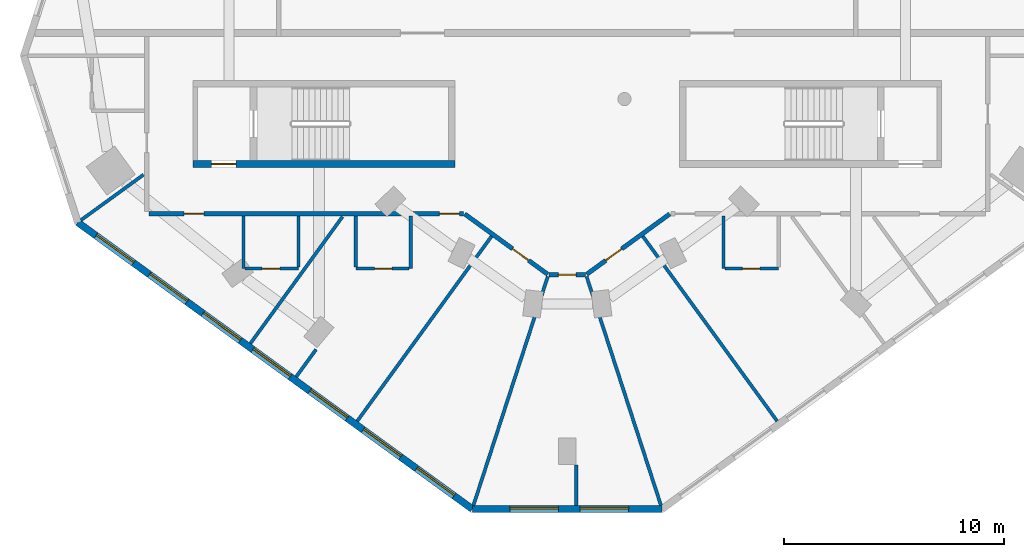
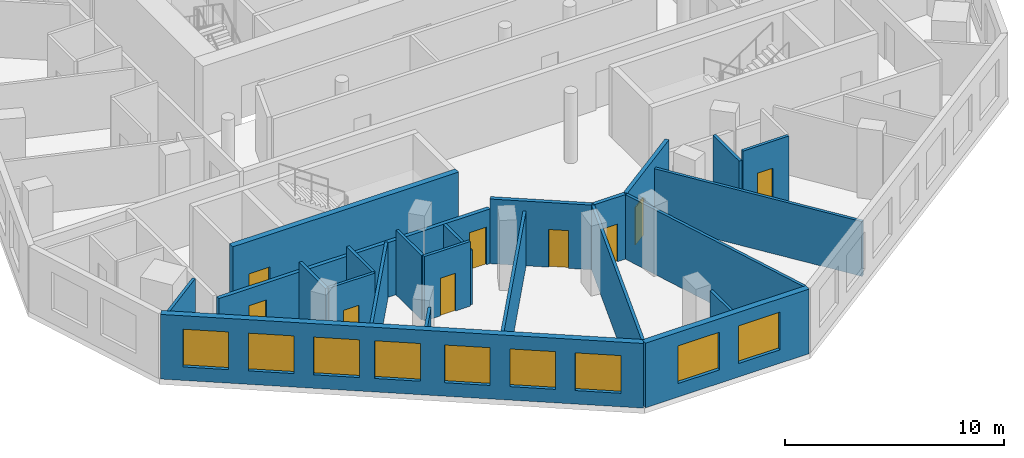
# One storey, part 2 of 9: 23 walls, 9 doors, 9 windows, 18 openings.
"""IFC4 building model written with IfcOpenShell, lengths in metres."""

from ifc_helpers import new_model, si_unit, direction, frame, frame_2d, origin, place, context, subcontext, project, spatial, rectangle, extrude, material, layer, layer_set, type_object, element, fill, save


model = new_model("IFC4")

# Units and contexts
model_context = context("Model", 3, precision=1e-05, world=origin(), true_north=direction((0.0, 1.0)))
body_context = subcontext(model_context, "Body", "Model", "MODEL_VIEW")
ifc_project = project(units=[si_unit("LENGTHUNIT", "METRE"), si_unit("AREAUNIT", "SQUARE_METRE"), si_unit("VOLUMEUNIT", "CUBIC_METRE"), si_unit("PLANEANGLEUNIT", "RADIAN"), si_unit("MASSUNIT", "GRAM", prefix="KILO")], contexts=[model_context])

# Site, building, storey
site_placement = place(None, origin())
site = spatial("IfcSite", under=ifc_project, at=site_placement, CompositionType="ELEMENT")
building_placement = place(site_placement, origin())
building = spatial("IfcBuilding", under=site, at=building_placement, Name="White Candle Pilgrim Tower", CompositionType="ELEMENT")
storey_placement = place(building_placement, frame((0.0, 0.0, 216.0)))
storey = spatial("IfcBuildingStorey", under=building, at=storey_placement, Name="L50", CompositionType="ELEMENT", Elevation=216.0)

# Wall, opening, door
ifc_material_1 = material(Name="Gypsum board on steel studs", Category="steel")
ifc_layer_1 = layer(ifc_material_1, 0.199951171875)
ifc_layer_set_1 = layer_set([ifc_layer_1], Name="Corridor wall 200 mm EI 45")
wall_type_1 = type_object("IfcWallType", Name="Corridor wall 200 mm EI 45", PredefinedType="PARTITIONING", material=ifc_layer_set_1)
wall_1_placement = place(storey_placement, frame((74.656494140625, 55.781005859375, 0.0), z_axis=(0.0, 0.0, 1.0), x_axis=(-0.809000756998, -0.587807600476, 0.0)))
wall_1 = element("IfcWall", 1, at=wall_1_placement, inside=storey, type_object=wall_type_1, Name="WL-L50-P006", PredefinedType="PARTITIONING", context=body_context, shape_type="SweptSolid", body=[
    extrude(rectangle(XDim=4.66552734375, YDim=0.199951171875, at=frame_2d((2.332763671875, 0.0))), origin(), (0.0, 0.0, 1.0), 3.60009765625),
])
opening_1_placement = place(wall_1_placement, frame((2.690185546875, 0.0, 0.0)))
opening_1 = element("IfcOpeningElement", 2, at=opening_1_placement, cuts=wall_1, Name="Opening T15-111", PredefinedType="OPENING", context=body_context, shape_type="SweptSolid", body=[
    extrude(rectangle(XDim=0.89990234375, YDim=2.10009765625, at=frame_2d((0.449951171875, 1.050048828125))), frame((0.0, 0.10986328125, 0.0), z_axis=(0.0, -1.0, 0.0), x_axis=(1.0, 0.0, 0.0)), (0.0, 0.0, 1.0), 0.219970703125),
])
ifc_material_2 = material(Name="Steel door leaf", Category="steel")
door_type_1 = type_object("IfcDoorType", Name="Fire door 900 x 2100 EI 30", OperationType="NOTDEFINED", PredefinedType="DOOR", material=ifc_material_2)
door_1_placement = place(opening_1_placement, origin())
door_1 = element("IfcDoor", 3, at=door_1_placement, inside=storey, type_object=door_type_1, Name="Door T15-111", OperationType="SINGLE_SWING_LEFT", OverallHeight=2.10009765625, OverallWidth=0.89990234375, PredefinedType="DOOR", context=body_context, shape_type="SweptSolid", body=[
    extrude(rectangle(XDim=0.89990234375, YDim=2.10009765625, at=frame_2d((0.449951171875, 1.050048828125))), frame((0.0, 0.02490234375, 0.0), z_axis=(0.0, -1.0, 0.0), x_axis=(1.0, 0.0, 0.0)), (0.0, 0.0, 1.0), 0.050048828125),
])
fill(opening_1, door_1)

wall_2_placement = place(storey_placement, frame((70.8232421875, 53.01953125, 0.0), z_axis=(0.0, 0.0, 1.0), x_axis=(-1.0, 0.0, 0.0)))
wall_2 = element("IfcWall", 4, at=wall_2_placement, inside=storey, type_object=wall_type_1, Name="WL-L50-P007", PredefinedType="PARTITIONING", context=body_context, shape_type="SweptSolid", body=[
    extrude(rectangle(XDim=1.646484375, YDim=0.199951171875, at=frame_2d((0.8232421875, 0.0))), origin(), (0.0, 0.0, 1.0), 3.60009765625),
])
opening_2_placement = place(wall_2_placement, frame((0.423095703125, 0.0, 0.0)))
opening_2 = element("IfcOpeningElement", 5, at=opening_2_placement, cuts=wall_2, Name="Opening T15-110", PredefinedType="OPENING", context=body_context, shape_type="SweptSolid", body=[
    extrude(rectangle(XDim=0.800048828125, YDim=2.10009765625, at=frame_2d((0.39990234375, 1.050048828125))), frame((0.0, 0.10986328125, 0.0), z_axis=(0.0, -1.0, 0.0), x_axis=(1.0, 0.0, 0.0)), (0.0, 0.0, 1.0), 0.219970703125),
])
door_type_2 = type_object("IfcDoorType", Name="Fire door 800 x 2100 EI 30", OperationType="NOTDEFINED", PredefinedType="DOOR", material=ifc_material_2)
door_2_placement = place(opening_2_placement, origin())
door_2 = element("IfcDoor", 6, at=door_2_placement, inside=storey, type_object=door_type_2, Name="Door T15-110", OperationType="SINGLE_SWING_RIGHT", OverallHeight=2.10009765625, OverallWidth=0.800048828125, PredefinedType="DOOR", context=body_context, shape_type="SweptSolid", body=[
    extrude(rectangle(XDim=0.800048828125, YDim=2.10009765625, at=frame_2d((0.39990234375, 1.050048828125))), frame((0.0, 0.02490234375, 0.0), z_axis=(0.0, -1.0, 0.0), x_axis=(1.0, 0.0, 0.0)), (0.0, 0.0, 1.0), 0.050048828125),
])
fill(opening_2, door_2)

wall_3_placement = place(storey_placement, frame((69.117919921875, 53.03857421875, 0.0), z_axis=(0.0, 0.0, 1.0), x_axis=(-0.809000756998, 0.587807600476, 0.0)))
wall_3 = element("IfcWall", 7, at=wall_3_placement, inside=storey, type_object=wall_type_1, Name="WL-L50-P008", PredefinedType="PARTITIONING", context=body_context, shape_type="SweptSolid", body=[
    extrude(rectangle(XDim=4.66552734375, YDim=0.199951171875, at=frame_2d((2.332763671875, 0.0))), origin(), (0.0, 0.0, 1.0), 3.60009765625),
])
opening_3_placement = place(wall_3_placement, frame((1.0751953125, 0.0, 0.0)))
opening_3 = element("IfcOpeningElement", 8, at=opening_3_placement, cuts=wall_3, Name="Opening T15-109", PredefinedType="OPENING", context=body_context, shape_type="SweptSolid", body=[
    extrude(rectangle(XDim=0.89990234375, YDim=2.10009765625, at=frame_2d((0.449951171875, 1.050048828125))), frame((0.0, 0.10986328125, 0.0), z_axis=(0.0, -1.0, 0.0), x_axis=(1.0, 0.0, 0.0)), (0.0, 0.0, 1.0), 0.219970703125),
])
door_3_placement = place(opening_3_placement, origin())
door_3 = element("IfcDoor", 9, at=door_3_placement, inside=storey, type_object=door_type_1, Name="Door T15-109", OperationType="SINGLE_SWING_LEFT", OverallHeight=2.10009765625, OverallWidth=0.89990234375, PredefinedType="DOOR", context=body_context, shape_type="SweptSolid", body=[
    extrude(rectangle(XDim=0.89990234375, YDim=2.10009765625, at=frame_2d((0.449951171875, 1.050048828125))), frame((0.0, 0.02490234375, 0.0), z_axis=(0.0, -1.0, 0.0), x_axis=(1.0, 0.0, 0.0)), (0.0, 0.0, 1.0), 0.050048828125),
])
fill(opening_3, door_3)

# Wall, openings, doors
wall_4_placement = place(storey_placement, frame((65.28466796875, 55.800048828125, 0.0), z_axis=(0.0, 0.0, 1.0), x_axis=(-1.0, 0.0, 0.0)))
wall_4 = element("IfcWall", 10, at=wall_4_placement, inside=storey, type_object=wall_type_1, Name="WL-L50-P009", PredefinedType="PARTITIONING", context=body_context, shape_type="SweptSolid", body=[
    extrude(rectangle(XDim=14.28466796875, YDim=0.199951171875, at=frame_2d((7.142333984375, 0.0))), origin(), (0.0, 0.0, 1.0), 3.050048828125),
])
opening_4_placement = place(wall_4_placement, frame((11.7861328125, 0.0, 0.0)))
opening_4 = element("IfcOpeningElement", 11, at=opening_4_placement, cuts=wall_4, Name="Opening T15-106", PredefinedType="OPENING", context=body_context, shape_type="SweptSolid", body=[
    extrude(rectangle(XDim=0.89990234375, YDim=2.10009765625, at=frame_2d((0.449951171875, 1.050048828125))), frame((0.0, 0.10986328125, 0.0), z_axis=(0.0, -1.0, 0.0), x_axis=(1.0, 0.0, 0.0)), (0.0, 0.0, 1.0), 0.219970703125),
])
opening_5_placement = place(wall_4_placement, frame((0.1875, 0.0, 0.0)))
opening_5 = element("IfcOpeningElement", 12, at=opening_5_placement, cuts=wall_4, Name="Opening T15-108", PredefinedType="OPENING", context=body_context, shape_type="SweptSolid", body=[
    extrude(rectangle(XDim=0.89990234375, YDim=2.10009765625, at=frame_2d((0.449951171875, 1.050048828125))), frame((0.0, 0.10986328125, 0.0), z_axis=(0.0, -1.0, 0.0), x_axis=(1.0, 0.0, 0.0)), (0.0, 0.0, 1.0), 0.219970703125),
])
door_4_placement = place(opening_4_placement, origin())
door_4 = element("IfcDoor", 13, at=door_4_placement, inside=storey, type_object=door_type_1, Name="Door T15-106", OperationType="SINGLE_SWING_RIGHT", OverallHeight=2.10009765625, OverallWidth=0.89990234375, PredefinedType="DOOR", context=body_context, shape_type="SweptSolid", body=[
    extrude(rectangle(XDim=0.89990234375, YDim=2.10009765625, at=frame_2d((0.449951171875, 1.050048828125))), frame((0.0, 0.02490234375, 0.0), z_axis=(0.0, -1.0, 0.0), x_axis=(1.0, 0.0, 0.0)), (0.0, 0.0, 1.0), 0.050048828125),
])
fill(opening_4, door_4)
door_5_placement = place(opening_5_placement, origin())
door_5 = element("IfcDoor", 14, at=door_5_placement, inside=storey, type_object=door_type_1, Name="Door T15-108", OperationType="SINGLE_SWING_RIGHT", OverallHeight=2.10009765625, OverallWidth=0.89990234375, PredefinedType="DOOR", context=body_context, shape_type="SweptSolid", body=[
    extrude(rectangle(XDim=0.89990234375, YDim=2.10009765625, at=frame_2d((0.449951171875, 1.050048828125))), frame((0.0, 0.02490234375, 0.0), z_axis=(0.0, -1.0, 0.0), x_axis=(1.0, 0.0, 0.0)), (0.0, 0.0, 1.0), 0.050048828125),
])
fill(opening_5, door_5)

# Wall, openings, windows
ifc_material_3 = material(Name="Precast concrete C40/50", Category="concrete")
ifc_layer_2 = layer(ifc_material_3, 0.320068359375)
ifc_layer_set_2 = layer_set([ifc_layer_2], Name="Facade wall EW1 precast concrete C40/50 pier wall with timber-lined reveals")
wall_type_2 = type_object("IfcWallType", Name="Facade wall EW1 precast concrete C40/50 pier wall with timber-lined reveals", PredefinedType="SOLIDWALL", material=ifc_layer_set_2)
wall_5_placement = place(storey_placement, frame((47.77099609375, 55.396240234375, 0.0), z_axis=(0.0, 0.0, 1.0), x_axis=(0.809018689846, -0.587782918669, 0.0)))
wall_5 = element("IfcWall", 15, at=wall_5_placement, inside=storey, type_object=wall_type_2, Name="Facade wall L50 SW", PredefinedType="SOLIDWALL", context=body_context, shape_type="SweptSolid", body=[
    extrude(rectangle(XDim=22.145751953125, YDim=0.320068359375, at=frame_2d((11.07275390625, 0.0))), origin(), (0.0, 0.0, 1.0), 3.60009765625),
])
opening_6_placement = place(wall_5_placement, frame((1.022705078125, 0.0, 0.75)))
opening_6 = element("IfcOpeningElement", 16, at=opening_6_placement, cuts=wall_5, Name="Opening W3", PredefinedType="OPENING", context=body_context, shape_type="SweptSolid", body=[
    extrude(rectangle(XDim=2.10009765625, YDim=2.10009765625, at=frame_2d((1.050048828125, 1.050048828125))), frame((0.0, 0.169921875, 0.0), z_axis=(0.0, -1.0, 0.0), x_axis=(1.0, 0.0, 0.0)), (0.0, 0.0, 1.0), 0.340087890625),
])
opening_7_placement = place(wall_5_placement, frame((4.022705078125, 0.0, 0.75)))
opening_7 = element("IfcOpeningElement", 17, at=opening_7_placement, cuts=wall_5, Name="Opening W3", PredefinedType="OPENING", context=body_context, shape_type="SweptSolid", body=[
    extrude(rectangle(XDim=2.10009765625, YDim=2.10009765625, at=frame_2d((1.050048828125, 1.050048828125))), frame((0.0, 0.169921875, 0.0), z_axis=(0.0, -1.0, 0.0), x_axis=(1.0, 0.0, 0.0)), (0.0, 0.0, 1.0), 0.340087890625),
])
opening_8_placement = place(wall_5_placement, frame((7.022705078125, 0.0, 0.75)))
opening_8 = element("IfcOpeningElement", 18, at=opening_8_placement, cuts=wall_5, Name="Opening W3", PredefinedType="OPENING", context=body_context, shape_type="SweptSolid", body=[
    extrude(rectangle(XDim=2.10009765625, YDim=2.10009765625, at=frame_2d((1.050048828125, 1.050048828125))), frame((0.0, 0.169921875, 0.0), z_axis=(0.0, -1.0, 0.0), x_axis=(1.0, 0.0, 0.0)), (0.0, 0.0, 1.0), 0.340087890625),
])
opening_9_placement = place(wall_5_placement, frame((9.82275390625, 0.0, 0.75)))
opening_9 = element("IfcOpeningElement", 19, at=opening_9_placement, cuts=wall_5, Name="Opening W3", PredefinedType="OPENING", context=body_context, shape_type="SweptSolid", body=[
    extrude(rectangle(XDim=2.10009765625, YDim=2.10009765625, at=frame_2d((1.050048828125, 1.050048828125))), frame((0.0, 0.169921875, 0.0), z_axis=(0.0, -1.0, 0.0), x_axis=(1.0, 0.0, 0.0)), (0.0, 0.0, 1.0), 0.340087890625),
])
opening_10_placement = place(wall_5_placement, frame((13.022705078125, 0.0, 0.75)))
opening_10 = element("IfcOpeningElement", 20, at=opening_10_placement, cuts=wall_5, Name="Opening W3", PredefinedType="OPENING", context=body_context, shape_type="SweptSolid", body=[
    extrude(rectangle(XDim=2.10009765625, YDim=2.10009765625, at=frame_2d((1.050048828125, 1.050048828125))), frame((0.0, 0.169921875, 0.0), z_axis=(0.0, -1.0, 0.0), x_axis=(1.0, 0.0, 0.0)), (0.0, 0.0, 1.0), 0.340087890625),
])
opening_11_placement = place(wall_5_placement, frame((16.022705078125, 0.0, 0.75)))
opening_11 = element("IfcOpeningElement", 21, at=opening_11_placement, cuts=wall_5, Name="Opening W3", PredefinedType="OPENING", context=body_context, shape_type="SweptSolid", body=[
    extrude(rectangle(XDim=2.10009765625, YDim=2.10009765625, at=frame_2d((1.050048828125, 1.050048828125))), frame((0.0, 0.169921875, 0.0), z_axis=(0.0, -1.0, 0.0), x_axis=(1.0, 0.0, 0.0)), (0.0, 0.0, 1.0), 0.340087890625),
])
opening_12_placement = place(wall_5_placement, frame((19.022705078125, 0.0, 0.75)))
opening_12 = element("IfcOpeningElement", 22, at=opening_12_placement, cuts=wall_5, Name="Opening W3", PredefinedType="OPENING", context=body_context, shape_type="SweptSolid", body=[
    extrude(rectangle(XDim=2.10009765625, YDim=2.10009765625, at=frame_2d((1.050048828125, 1.050048828125))), frame((0.0, 0.169921875, 0.0), z_axis=(0.0, -1.0, 0.0), x_axis=(1.0, 0.0, 0.0)), (0.0, 0.0, 1.0), 0.340087890625),
])
ifc_material_4 = material(Name="Timber frame with triple glazing", Category="wood")
window_type_1 = type_object("IfcWindowType", Name="Window W3 2100x2100 timber frame triple glazing", PartitioningType="SINGLE_PANEL", PredefinedType="WINDOW", material=ifc_material_4)
window_1_placement = place(opening_6_placement, origin())
window_1 = element("IfcWindow", 23, at=window_1_placement, inside=storey, type_object=window_type_1, Name="Window W3 L50 SW 1", OverallHeight=2.10009765625, OverallWidth=2.10009765625, PartitioningType="SINGLE_PANEL", PredefinedType="WINDOW", context=body_context, shape_type="SweptSolid", body=[
    extrude(rectangle(XDim=2.10009765625, YDim=2.10009765625, at=frame_2d((1.050048828125, 1.050048828125))), frame((0.0, 0.070068359375, 0.0), z_axis=(0.0, -1.0, 0.0), x_axis=(1.0, 0.0, 0.0)), (0.0, 0.0, 1.0), 0.06005859375),
])
fill(opening_6, window_1)
window_2_placement = place(opening_7_placement, origin())
window_2 = element("IfcWindow", 24, at=window_2_placement, inside=storey, type_object=window_type_1, Name="Window W3 L50 SW 2", OverallHeight=2.10009765625, OverallWidth=2.10009765625, PartitioningType="SINGLE_PANEL", PredefinedType="WINDOW", context=body_context, shape_type="SweptSolid", body=[
    extrude(rectangle(XDim=2.10009765625, YDim=2.10009765625, at=frame_2d((1.050048828125, 1.050048828125))), frame((0.0, 0.070068359375, 0.0), z_axis=(0.0, -1.0, 0.0), x_axis=(1.0, 0.0, 0.0)), (0.0, 0.0, 1.0), 0.06005859375),
])
fill(opening_7, window_2)
window_3_placement = place(opening_8_placement, origin())
window_3 = element("IfcWindow", 25, at=window_3_placement, inside=storey, type_object=window_type_1, Name="Window W3 L50 SW 3", OverallHeight=2.10009765625, OverallWidth=2.10009765625, PartitioningType="SINGLE_PANEL", PredefinedType="WINDOW", context=body_context, shape_type="SweptSolid", body=[
    extrude(rectangle(XDim=2.10009765625, YDim=2.10009765625, at=frame_2d((1.050048828125, 1.050048828125))), frame((0.0, 0.070068359375, 0.0), z_axis=(0.0, -1.0, 0.0), x_axis=(1.0, 0.0, 0.0)), (0.0, 0.0, 1.0), 0.06005859375),
])
fill(opening_8, window_3)
window_4_placement = place(opening_9_placement, origin())
window_4 = element("IfcWindow", 26, at=window_4_placement, inside=storey, type_object=window_type_1, Name="Window W3 L50 SW 4", OverallHeight=2.10009765625, OverallWidth=2.10009765625, PartitioningType="SINGLE_PANEL", PredefinedType="WINDOW", context=body_context, shape_type="SweptSolid", body=[
    extrude(rectangle(XDim=2.10009765625, YDim=2.10009765625, at=frame_2d((1.050048828125, 1.050048828125))), frame((0.0, 0.070068359375, 0.0), z_axis=(0.0, -1.0, 0.0), x_axis=(1.0, 0.0, 0.0)), (0.0, 0.0, 1.0), 0.06005859375),
])
fill(opening_9, window_4)
window_5_placement = place(opening_10_placement, origin())
window_5 = element("IfcWindow", 27, at=window_5_placement, inside=storey, type_object=window_type_1, Name="Window W3 L50 SW 5", OverallHeight=2.10009765625, OverallWidth=2.10009765625, PartitioningType="SINGLE_PANEL", PredefinedType="WINDOW", context=body_context, shape_type="SweptSolid", body=[
    extrude(rectangle(XDim=2.10009765625, YDim=2.10009765625, at=frame_2d((1.050048828125, 1.050048828125))), frame((0.0, 0.070068359375, 0.0), z_axis=(0.0, -1.0, 0.0), x_axis=(1.0, 0.0, 0.0)), (0.0, 0.0, 1.0), 0.06005859375),
])
fill(opening_10, window_5)
window_6_placement = place(opening_11_placement, origin())
window_6 = element("IfcWindow", 28, at=window_6_placement, inside=storey, type_object=window_type_1, Name="Window W3 L50 SW 6", OverallHeight=2.10009765625, OverallWidth=2.10009765625, PartitioningType="SINGLE_PANEL", PredefinedType="WINDOW", context=body_context, shape_type="SweptSolid", body=[
    extrude(rectangle(XDim=2.10009765625, YDim=2.10009765625, at=frame_2d((1.050048828125, 1.050048828125))), frame((0.0, 0.070068359375, 0.0), z_axis=(0.0, -1.0, 0.0), x_axis=(1.0, 0.0, 0.0)), (0.0, 0.0, 1.0), 0.06005859375),
])
fill(opening_11, window_6)
window_7_placement = place(opening_12_placement, origin())
window_7 = element("IfcWindow", 29, at=window_7_placement, inside=storey, type_object=window_type_1, Name="Window W3 L50 SW 7", OverallHeight=2.10009765625, OverallWidth=2.10009765625, PartitioningType="SINGLE_PANEL", PredefinedType="WINDOW", context=body_context, shape_type="SweptSolid", body=[
    extrude(rectangle(XDim=2.10009765625, YDim=2.10009765625, at=frame_2d((1.050048828125, 1.050048828125))), frame((0.0, 0.070068359375, 0.0), z_axis=(0.0, -1.0, 0.0), x_axis=(1.0, 0.0, 0.0)), (0.0, 0.0, 1.0), 0.06005859375),
])
fill(opening_12, window_7)

wall_6_placement = place(storey_placement, frame((65.687255859375, 42.37939453125, 0.0), z_axis=(0.0, 0.0, 1.0), x_axis=(1.0, 0.0, 0.0)))
wall_6 = element("IfcWall", 30, at=wall_6_placement, inside=storey, type_object=wall_type_2, Name="Facade wall L50 S chamfer", PredefinedType="SOLIDWALL", context=body_context, shape_type="SweptSolid", body=[
    extrude(rectangle(XDim=8.62548828125, YDim=0.320068359375, at=frame_2d((4.312744140625, 0.0))), origin(), (0.0, 0.0, 1.0), 3.60009765625),
])
opening_13_placement = place(wall_6_placement, frame((1.712890625, 0.0, 0.75)))
opening_13 = element("IfcOpeningElement", 31, at=opening_13_placement, cuts=wall_6, Name="Opening W4", PredefinedType="OPENING", context=body_context, shape_type="SweptSolid", body=[
    extrude(rectangle(XDim=2.199951171875, YDim=2.10009765625, at=frame_2d((1.10009765625, 1.050048828125))), frame((0.0, 0.169921875, 0.0), z_axis=(0.0, -1.0, 0.0), x_axis=(1.0, 0.0, 0.0)), (0.0, 0.0, 1.0), 0.340087890625),
])
opening_14_placement = place(wall_6_placement, frame((4.89794921875, 0.0, 0.75)))
opening_14 = element("IfcOpeningElement", 32, at=opening_14_placement, cuts=wall_6, Name="Opening W4", PredefinedType="OPENING", context=body_context, shape_type="SweptSolid", body=[
    extrude(rectangle(XDim=2.199951171875, YDim=2.10009765625, at=frame_2d((1.10009765625, 1.050048828125))), frame((0.0, 0.169921875, 0.0), z_axis=(0.0, -1.0, 0.0), x_axis=(1.0, 0.0, 0.0)), (0.0, 0.0, 1.0), 0.340087890625),
])
window_type_2 = type_object("IfcWindowType", Name="Window W4 2200x2100 timber frame triple glazing", PartitioningType="SINGLE_PANEL", PredefinedType="WINDOW", material=ifc_material_4)
window_8_placement = place(opening_13_placement, origin())
window_8 = element("IfcWindow", 33, at=window_8_placement, inside=storey, type_object=window_type_2, Name="Window W4 L50 S chamfer 1", OverallHeight=2.10009765625, OverallWidth=2.199951171875, PartitioningType="SINGLE_PANEL", PredefinedType="WINDOW", context=body_context, shape_type="SweptSolid", body=[
    extrude(rectangle(XDim=2.199951171875, YDim=2.10009765625, at=frame_2d((1.10009765625, 1.050048828125))), frame((0.0, 0.070068359375, 0.0), z_axis=(0.0, -1.0, 0.0), x_axis=(1.0, 0.0, 0.0)), (0.0, 0.0, 1.0), 0.06005859375),
])
fill(opening_13, window_8)
window_9_placement = place(opening_14_placement, origin())
window_9 = element("IfcWindow", 34, at=window_9_placement, inside=storey, type_object=window_type_2, Name="Window W4 L50 S chamfer 2", OverallHeight=2.10009765625, OverallWidth=2.199951171875, PartitioningType="SINGLE_PANEL", PredefinedType="WINDOW", context=body_context, shape_type="SweptSolid", body=[
    extrude(rectangle(XDim=2.199951171875, YDim=2.10009765625, at=frame_2d((1.10009765625, 1.050048828125))), frame((0.0, 0.070068359375, 0.0), z_axis=(0.0, -1.0, 0.0), x_axis=(1.0, 0.0, 0.0)), (0.0, 0.0, 1.0), 0.06005859375),
])
fill(opening_14, window_9)

# Walls
ifc_layer_3 = layer(ifc_material_1, 0.14990234375)
ifc_layer_set_3 = layer_set([ifc_layer_3], Name="Partition 150 mm EI 60")
wall_type_3 = type_object("IfcWallType", Name="Partition 150 mm EI 60", PredefinedType="PARTITIONING", material=ifc_layer_set_3)
wall_7_placement = place(storey_placement, frame((47.906982421875, 55.4951171875, 0.0), z_axis=(0.0, 0.0, 1.0), x_axis=(0.809017810654, 0.587784128779, 0.0)))
element("IfcWall", 35, at=wall_7_placement, inside=storey, type_object=wall_type_3, Name="WL-L50-P017", PredefinedType="PARTITIONING", context=body_context, shape_type="SweptSolid", body=[
    extrude(rectangle(XDim=3.521484375, YDim=0.14990234375, at=frame_2d((1.7607421875, 0.0))), origin(), (0.0, 0.0, 1.0), 3.14990234375),
])
for number, where, z_axis, x_axis, name in (
    (36, (65.739013671875, 42.53955078125, 0.0), (0.0, 0.0, 1.0), (0.309017914069, 0.951056217468, 0.0), "WL-L50-P018"),
    (37, (74.260986328125, 42.53955078125, 0.0), (0.0, 0.0, 1.0), (-0.309017914069, 0.951056217468, 0.0), "WL-L50-P019"),
):
    element("IfcWall", number, at=place(storey_placement, frame(where, z_axis=z_axis, x_axis=x_axis)), inside=storey, type_object=wall_type_3, Name=name, PredefinedType="PARTITIONING", context=body_context, shape_type="SweptSolid", body=[
        extrude(rectangle(XDim=10.934326171875, YDim=0.14990234375, at=frame_2d((5.46728515625, 0.0))), origin(), (0.0, 0.0, 1.0), 3.60009765625),
    ])
wall_8_placement = place(storey_placement, frame((55.609619140625, 49.89892578125, 0.0), z_axis=(0.0, 0.0, 1.0), x_axis=(0.587771793652, 0.809026772479, 0.0)))
element("IfcWall", 38, at=wall_8_placement, inside=storey, type_object=wall_type_3, Name="WL-L50-P033", PredefinedType="PARTITIONING", context=body_context, shape_type="SweptSolid", body=[
    extrude(rectangle(XDim=7.115966796875, YDim=0.14990234375, at=frame_2d((3.55810546875, 0.0))), origin(), (0.0, 0.0, 1.0), 3.14990234375),
])
wall_9_placement = place(storey_placement, frame((60.463623046875, 46.372314453125, 0.0), z_axis=(0.0, 0.0, 1.0), x_axis=(0.58778704822, 0.809015689554, 0.0)))
element("IfcWall", 39, at=wall_9_placement, inside=storey, type_object=wall_type_3, Name="WL-L50-P034", PredefinedType="PARTITIONING", context=body_context, shape_type="SweptSolid", body=[
    extrude(rectangle(XDim=10.380126953125, YDim=0.14990234375, at=frame_2d((5.18994140625, 0.0))), origin(), (0.0, 0.0, 1.0), 3.050048828125),
])
wall_10_placement = place(storey_placement, frame((55.296875, 55.699951171875, 0.0), z_axis=(0.0, 0.0, 1.0), x_axis=(0.0, -1.0, 0.0)))
element("IfcWall", 40, at=wall_10_placement, inside=storey, type_object=wall_type_3, Name="WL-L50-P035", PredefinedType="PARTITIONING", context=body_context, shape_type="SweptSolid", body=[
    extrude(rectangle(XDim=2.39990234375, YDim=0.14990234375, at=frame_2d((1.199951171875, 0.0))), origin(), (0.0, 0.0, 1.0), 3.60009765625),
])

# Wall, opening, door
wall_11_placement = place(storey_placement, frame((57.796875, 53.300048828125, 0.0), z_axis=(0.0, 0.0, 1.0), x_axis=(-1.0, 0.0, 0.0)))
wall_11 = element("IfcWall", 41, at=wall_11_placement, inside=storey, type_object=wall_type_3, Name="WL-L50-P036", PredefinedType="PARTITIONING", context=body_context, shape_type="SweptSolid", body=[
    extrude(rectangle(XDim=2.425048828125, YDim=0.14990234375, at=frame_2d((1.21240234375, 0.0))), origin(), (0.0, 0.0, 1.0), 3.60009765625),
])
opening_15_placement = place(wall_11_placement, frame((0.85009765625, 0.0, 0.0)))
opening_15 = element("IfcOpeningElement", 42, at=opening_15_placement, cuts=wall_11, Name="Opening T15-105", PredefinedType="OPENING", context=body_context, shape_type="SweptSolid", body=[
    extrude(rectangle(XDim=0.800048828125, YDim=2.10009765625, at=frame_2d((0.39990234375, 1.050048828125))), frame((0.0, 0.0849609375, 0.0), z_axis=(0.0, -1.0, 0.0), x_axis=(1.0, 0.0, 0.0)), (0.0, 0.0, 1.0), 0.169921875),
])
door_6_placement = place(opening_15_placement, origin())
door_6 = element("IfcDoor", 43, at=door_6_placement, inside=storey, type_object=door_type_2, Name="Door T15-105", OperationType="SINGLE_SWING_LEFT", OverallHeight=2.10009765625, OverallWidth=0.800048828125, PredefinedType="DOOR", context=body_context, shape_type="SweptSolid", body=[
    extrude(rectangle(XDim=0.800048828125, YDim=2.10009765625, at=frame_2d((0.39990234375, 1.050048828125))), frame((0.0, 0.02490234375, 0.0), z_axis=(0.0, -1.0, 0.0), x_axis=(1.0, 0.0, 0.0)), (0.0, 0.0, 1.0), 0.050048828125),
])
fill(opening_15, door_6)

# Walls
wall_12_placement = place(storey_placement, frame((57.796875, 55.699951171875, 0.0), z_axis=(0.0, 0.0, 1.0), x_axis=(0.0, -1.0, 0.0)))
element("IfcWall", 44, at=wall_12_placement, inside=storey, type_object=wall_type_3, Name="WL-L50-P037", PredefinedType="PARTITIONING", context=body_context, shape_type="SweptSolid", body=[
    extrude(rectangle(XDim=2.324951171875, YDim=0.14990234375, at=frame_2d((1.16259765625, 0.0))), origin(), (0.0, 0.0, 1.0), 3.60009765625),
])
wall_13_placement = place(storey_placement, frame((62.89697265625, 55.699951171875, 0.0), z_axis=(0.0, 0.0, 1.0), x_axis=(0.0, -1.0, 0.0)))
element("IfcWall", 45, at=wall_13_placement, inside=storey, type_object=wall_type_3, Name="WL-L50-P038", PredefinedType="PARTITIONING", context=body_context, shape_type="SweptSolid", body=[
    extrude(rectangle(XDim=2.39990234375, YDim=0.14990234375, at=frame_2d((1.199951171875, 0.0))), origin(), (0.0, 0.0, 1.0), 3.050048828125),
])

# Wall, opening, door
wall_14_placement = place(storey_placement, frame((60.39697265625, 53.300048828125, 0.0), z_axis=(0.0, 0.0, 1.0), x_axis=(1.0, 0.0, 0.0)))
wall_14 = element("IfcWall", 46, at=wall_14_placement, inside=storey, type_object=wall_type_3, Name="WL-L50-P039", PredefinedType="PARTITIONING", context=body_context, shape_type="SweptSolid", body=[
    extrude(rectangle(XDim=2.425048828125, YDim=0.14990234375, at=frame_2d((1.21240234375, 0.0))), origin(), (0.0, 0.0, 1.0), 3.60009765625),
])
opening_16_placement = place(wall_14_placement, frame((0.85009765625, 0.0, 0.0)))
opening_16 = element("IfcOpeningElement", 47, at=opening_16_placement, cuts=wall_14, Name="Opening T15-107", PredefinedType="OPENING", context=body_context, shape_type="SweptSolid", body=[
    extrude(rectangle(XDim=0.800048828125, YDim=2.10009765625, at=frame_2d((0.39990234375, 1.050048828125))), frame((0.0, 0.0849609375, 0.0), z_axis=(0.0, -1.0, 0.0), x_axis=(1.0, 0.0, 0.0)), (0.0, 0.0, 1.0), 0.169921875),
])
door_7_placement = place(opening_16_placement, frame((0.800048828125, 0.0, 0.0), z_axis=(0.0, 0.0, 1.0), x_axis=(-1.0, 0.0, 0.0)))
door_7 = element("IfcDoor", 48, at=door_7_placement, inside=storey, type_object=door_type_2, Name="Door T15-107", OperationType="SINGLE_SWING_RIGHT", OverallHeight=2.10009765625, OverallWidth=0.800048828125, PredefinedType="DOOR", context=body_context, shape_type="SweptSolid", body=[
    extrude(rectangle(XDim=0.800048828125, YDim=2.10009765625, at=frame_2d((0.39990234375, 1.050048828125))), frame((0.0, 0.02490234375, 0.0), z_axis=(0.0, -1.0, 0.0), x_axis=(1.0, 0.0, 0.0)), (0.0, 0.0, 1.0), 0.050048828125),
])
fill(opening_16, door_7)

# Walls
wall_15_placement = place(storey_placement, frame((60.39697265625, 55.699951171875, 0.0), z_axis=(0.0, 0.0, 1.0), x_axis=(0.0, -1.0, 0.0)))
element("IfcWall", 49, at=wall_15_placement, inside=storey, type_object=wall_type_3, Name="WL-L50-P040", PredefinedType="PARTITIONING", context=body_context, shape_type="SweptSolid", body=[
    extrude(rectangle(XDim=2.324951171875, YDim=0.14990234375, at=frame_2d((1.16259765625, 0.0))), origin(), (0.0, 0.0, 1.0), 3.60009765625),
])
wall_16_placement = place(storey_placement, frame((79.536376953125, 46.372314453125, 0.0), z_axis=(0.0, 0.0, 1.0), x_axis=(-0.58778704822, 0.809015689554, 0.0)))
element("IfcWall", 50, at=wall_16_placement, inside=storey, type_object=wall_type_3, Name="WL-L50-P041", PredefinedType="PARTITIONING", context=body_context, shape_type="SweptSolid", body=[
    extrude(rectangle(XDim=10.380126953125, YDim=0.14990234375, at=frame_2d((5.18994140625, 0.0))), origin(), (0.0, 0.0, 1.0), 3.050048828125),
])
wall_17_placement = place(storey_placement, frame((77.10302734375, 55.699951171875, 0.0), z_axis=(0.0, 0.0, 1.0), x_axis=(0.0, -1.0, 0.0)))
element("IfcWall", 51, at=wall_17_placement, inside=storey, type_object=wall_type_3, Name="WL-L50-P044", PredefinedType="PARTITIONING", context=body_context, shape_type="SweptSolid", body=[
    extrude(rectangle(XDim=2.39990234375, YDim=0.14990234375, at=frame_2d((1.199951171875, 0.0))), origin(), (0.0, 0.0, 1.0), 3.050048828125),
])

# Wall, opening, door
wall_18_placement = place(storey_placement, frame((79.60302734375, 53.300048828125, 0.0), z_axis=(0.0, 0.0, 1.0), x_axis=(-1.0, 0.0, 0.0)))
wall_18 = element("IfcWall", 52, at=wall_18_placement, inside=storey, type_object=wall_type_3, Name="WL-L50-P045", PredefinedType="PARTITIONING", context=body_context, shape_type="SweptSolid", body=[
    extrude(rectangle(XDim=2.425048828125, YDim=0.14990234375, at=frame_2d((1.21240234375, 0.0))), origin(), (0.0, 0.0, 1.0), 3.60009765625),
])
opening_17_placement = place(wall_18_placement, frame((0.85009765625, 0.0, 0.0)))
opening_17 = element("IfcOpeningElement", 53, at=opening_17_placement, cuts=wall_18, Name="Opening T15-112", PredefinedType="OPENING", context=body_context, shape_type="SweptSolid", body=[
    extrude(rectangle(XDim=0.800048828125, YDim=2.10009765625, at=frame_2d((0.39990234375, 1.050048828125))), frame((0.0, 0.0849609375, 0.0), z_axis=(0.0, -1.0, 0.0), x_axis=(1.0, 0.0, 0.0)), (0.0, 0.0, 1.0), 0.169921875),
])
door_8_placement = place(opening_17_placement, origin())
door_8 = element("IfcDoor", 54, at=door_8_placement, inside=storey, type_object=door_type_2, Name="Door T15-112", OperationType="SINGLE_SWING_RIGHT", OverallHeight=2.10009765625, OverallWidth=0.800048828125, PredefinedType="DOOR", context=body_context, shape_type="SweptSolid", body=[
    extrude(rectangle(XDim=0.800048828125, YDim=2.10009765625, at=frame_2d((0.39990234375, 1.050048828125))), frame((0.0, 0.02490234375, 0.0), z_axis=(0.0, -1.0, 0.0), x_axis=(1.0, 0.0, 0.0)), (0.0, 0.0, 1.0), 0.050048828125),
])
fill(opening_17, door_8)

# Walls
wall_19_placement = place(storey_placement, frame((58.593505859375, 49.628662109375, 0.0), z_axis=(0.0, 0.0, 1.0), x_axis=(-0.587793387923, -0.809011083431, 0.0)))
element("IfcWall", 55, at=wall_19_placement, inside=storey, type_object=wall_type_3, Name="WL-L50-P055", PredefinedType="PARTITIONING", context=body_context, shape_type="SweptSolid", body=[
    extrude(rectangle(XDim=1.53515625, YDim=0.14990234375, at=frame_2d((0.767578125, 0.0))), origin(), (0.0, 0.0, 1.0), 3.60009765625),
])
wall_20_placement = place(storey_placement, frame((70.409912109375, 44.3701171875, 0.0), z_axis=(0.0, 0.0, 1.0), x_axis=(0.0, -1.0, 0.0)))
element("IfcWall", 56, at=wall_20_placement, inside=storey, type_object=wall_type_3, Name="WL-L50-P056", PredefinedType="PARTITIONING", context=body_context, shape_type="SweptSolid", body=[
    extrude(rectangle(XDim=1.83056640625, YDim=0.14990234375, at=frame_2d((0.915283203125, 0.0))), origin(), (0.0, 0.0, 1.0), 3.60009765625),
])

# Wall, opening, door
ifc_material_5 = material(Name="Concrete C50/60", Category="concrete")
ifc_layer_4 = layer(ifc_material_5, 0.300048828125)
ifc_layer_set_4 = layer_set([ifc_layer_4], Name="Stair shaft wall 300 mm Concrete C50/60")
wall_type_4 = type_object("IfcWallType", Name="Stair shaft wall 300 mm Concrete C50/60", PredefinedType="SHEAR", material=ifc_layer_set_4)
wall_21_placement = place(storey_placement, frame((53.0, 58.050048828125, 0.0), z_axis=(0.0, 0.0, 1.0), x_axis=(1.0, 0.0, 0.0)))
wall_21 = element("IfcWall", 57, at=wall_21_placement, inside=storey, type_object=wall_type_4, Name="WL-L50-C01", PredefinedType="SHEAR", context=body_context, shape_type="SweptSolid", body=[
    extrude(rectangle(XDim=11.89990234375, YDim=0.300048828125, at=frame_2d((5.949951171875, 0.0))), origin(), (0.0, 0.0, 1.0), 3.89990234375),
])
opening_18_placement = place(wall_21_placement, frame((0.85009765625, 0.0, 0.0)))
opening_18 = element("IfcOpeningElement", 58, at=opening_18_placement, cuts=wall_21, Name="Opening T15-011", PredefinedType="OPENING", context=body_context, shape_type="SweptSolid", body=[
    extrude(rectangle(XDim=1.10009765625, YDim=2.10009765625, at=frame_2d((0.550048828125, 1.050048828125))), frame((0.0, 0.159912109375, 0.0), z_axis=(0.0, -1.0, 0.0), x_axis=(1.0, 0.0, 0.0)), (0.0, 0.0, 1.0), 0.320068359375),
])
door_type_3 = type_object("IfcDoorType", Name="Fire door 1100 x 2100 EI 60", OperationType="NOTDEFINED", PredefinedType="DOOR", material=ifc_material_2)
door_9_placement = place(opening_18_placement, origin())
door_9 = element("IfcDoor", 59, at=door_9_placement, inside=storey, type_object=door_type_3, Name="Door T15-011", OperationType="SINGLE_SWING_LEFT", OverallHeight=2.10009765625, OverallWidth=1.10009765625, PredefinedType="DOOR", context=body_context, shape_type="SweptSolid", body=[
    extrude(rectangle(XDim=1.10009765625, YDim=2.10009765625, at=frame_2d((0.550048828125, 1.050048828125))), frame((0.0, 0.02490234375, 0.0), z_axis=(0.0, -1.0, 0.0), x_axis=(1.0, 0.0, 0.0)), (0.0, 0.0, 1.0), 0.050048828125),
])
fill(opening_18, door_9)

save(model, "model.ifc")
